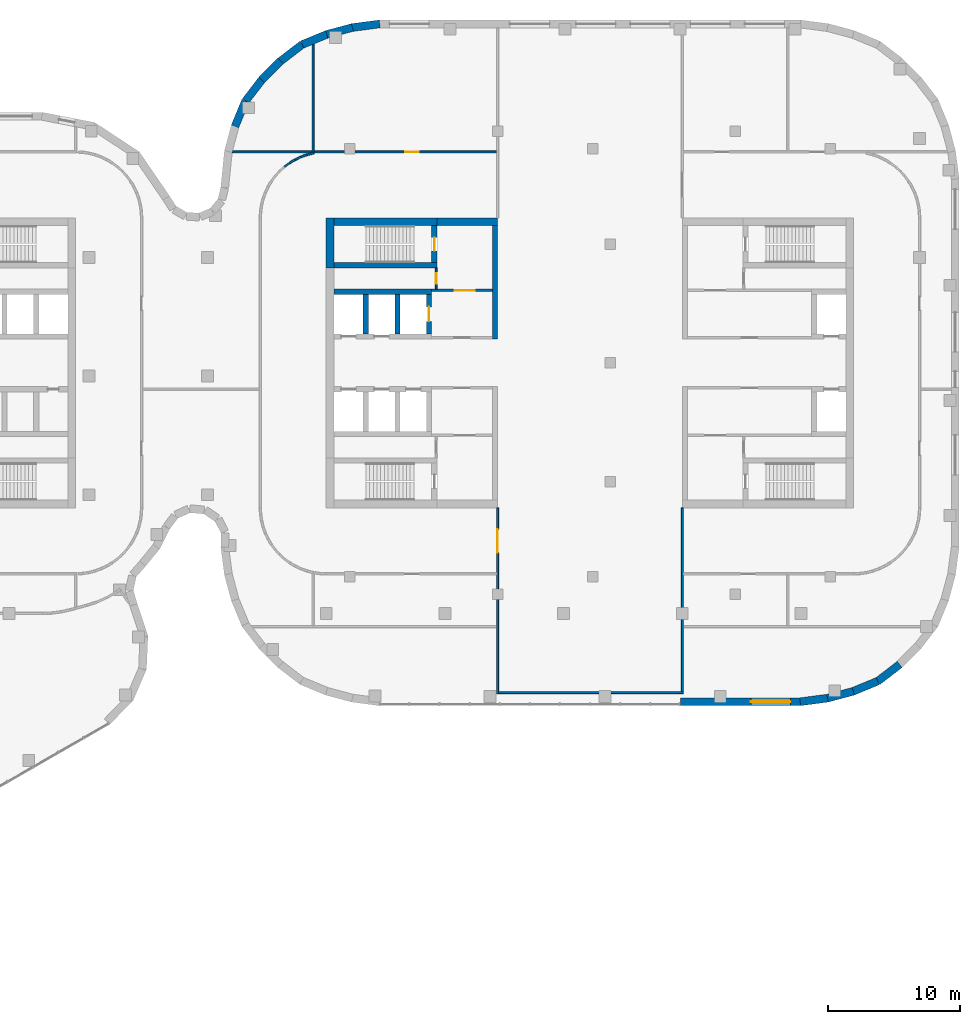
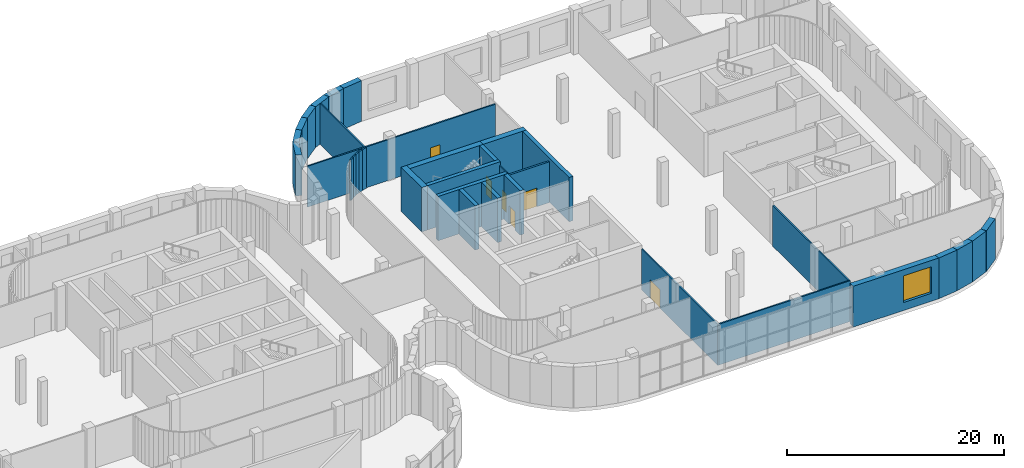
# One storey, part 18 of 24: 34 walls, 6 doors, 1 window, 7 openings.
"""IFC4 building model written with IfcOpenShell, lengths in metres."""

from ifc_helpers import new_model, si_unit, direction, frame, frame_2d, origin, place, context, subcontext, project, spatial, rectangle, extrude, material, layer, layer_set, type_object, element, fill, save


model = new_model("IFC4")

# Units and contexts
model_context = context("Model", 3, precision=1e-05, world=origin(), true_north=direction((0.0, 1.0)))
body_context = subcontext(model_context, "Body", "Model", "MODEL_VIEW")
ifc_project = project(units=[si_unit("LENGTHUNIT", "METRE"), si_unit("AREAUNIT", "SQUARE_METRE"), si_unit("VOLUMEUNIT", "CUBIC_METRE"), si_unit("PLANEANGLEUNIT", "RADIAN"), si_unit("MASSUNIT", "GRAM", prefix="KILO")], contexts=[model_context])

# Site, building, storey
site_placement = place(None, origin())
site = spatial("IfcSite", under=ifc_project, at=site_placement, CompositionType="ELEMENT")
building_placement = place(site_placement, origin())
building = spatial("IfcBuilding", under=site, at=building_placement, Name="Skarvind Civic Tower", CompositionType="ELEMENT")
storey_placement = place(building_placement, frame((0.0, 0.0, 12.5)))
storey = spatial("IfcBuildingStorey", under=building, at=storey_placement, Name="L02", CompositionType="ELEMENT", Elevation=12.5)

# Wall, opening, door
ifc_material_1 = material(Name="Fire-rated masonry partition", Category="masonry")
ifc_layer_1 = layer(ifc_material_1, 0.199951171875)
ifc_layer_set_1 = layer_set([ifc_layer_1], Name="Core enclosure wall 200")
wall_type_1 = type_object("IfcWallType", Name="Core enclosure wall 200", PredefinedType="PARTITIONING", material=ifc_layer_set_1)
wall_1_placement = place(storey_placement, frame((135.0, 133.5, 0.0), z_axis=(0.0, 0.0, 1.0), x_axis=(1.0, 0.0, 0.0)))
wall_1 = element("IfcWall", 1, at=wall_1_placement, inside=storey, type_object=wall_type_1, Name="Core wall CA", PredefinedType="PARTITIONING", context=body_context, shape_type="SweptSolid", body=[
    extrude(rectangle(XDim=4.60009765625, YDim=0.199951171875, at=frame_2d((2.300048828125, 0.0))), origin(), (0.0, 0.0, 1.0), 4.60009765625),
])
opening_1_placement = place(wall_1_placement, frame((1.75, 0.0, 0.0)))
opening_1 = element("IfcOpeningElement", 2, at=opening_1_placement, cuts=wall_1, Name="Opening D-L02-CA-07", PredefinedType="OPENING", context=body_context, shape_type="SweptSolid", body=[
    extrude(rectangle(XDim=1.5, YDim=2.10009765625, at=frame_2d((0.75, 1.050048828125))), frame((0.0, 0.10986328125, 0.0), z_axis=(0.0, -1.0, 0.0), x_axis=(1.0, 0.0, 0.0)), (0.0, 0.0, 1.0), 0.219970703125),
])
ifc_material_2 = material(Name="Fire-rated steel door", Category="steel")
door_type_1 = type_object("IfcDoorType", Name="Fire door 1500", OperationType="NOTDEFINED", PredefinedType="DOOR", material=ifc_material_2)
door_1_placement = place(opening_1_placement, origin())
door_1 = element("IfcDoor", 3, at=door_1_placement, inside=storey, type_object=door_type_1, Name="Fire door", OperationType="DOUBLE_DOOR_SINGLE_SWING", OverallHeight=2.10009765625, OverallWidth=1.5, PredefinedType="DOOR", context=body_context, shape_type="SweptSolid", body=[
    extrude(rectangle(XDim=1.5, YDim=2.10009765625, at=frame_2d((0.75, 1.050048828125))), frame((0.0, 0.02490234375, 0.0), z_axis=(0.0, -1.0, 0.0), x_axis=(1.0, 0.0, 0.0)), (0.0, 0.0, 1.0), 0.050048828125),
])
fill(opening_1, door_1)

# Wall
ifc_material_3 = material(Name="Concrete C80", Category="concrete")
ifc_layer_2 = layer(ifc_material_3, 0.39990234375)
ifc_layer_set_2 = layer_set([ifc_layer_2], Name="Core wall 400 C80")
wall_type_2 = type_object("IfcWallType", Name="Core wall 400 C80", PredefinedType="SHEAR", material=ifc_layer_set_2)
wall_2_placement = place(storey_placement, frame((127.60009765625, 135.39990234375, 0.0), z_axis=(0.0, 0.0, 1.0), x_axis=(1.0, 0.0, 0.0)))
element("IfcWall", 4, at=wall_2_placement, inside=storey, type_object=wall_type_2, Name="Core wall CA north stair inner L02", PredefinedType="SHEAR", context=body_context, shape_type="SweptSolid", body=[
    extrude(rectangle(XDim=7.7998046875, YDim=0.39990234375, at=frame_2d((3.89990234375, 0.0))), origin(), (0.0, 0.0, 1.0), 5.0),
])

# Wall, opening, door
wall_3_placement = place(storey_placement, frame((135.199951171875, 135.60009765625, 0.0), z_axis=(0.0, 0.0, 1.0), x_axis=(0.0, 1.0, 0.0)))
wall_3 = element("IfcWall", 5, at=wall_3_placement, inside=storey, type_object=wall_type_2, Name="Core wall CA north stair end L02", PredefinedType="SHEAR", context=body_context, shape_type="SweptSolid", body=[
    extrude(rectangle(XDim=2.7998046875, YDim=0.39990234375, at=frame_2d((1.39990234375, 0.0))), origin(), (0.0, 0.0, 1.0), 5.0),
])
opening_2_placement = place(wall_3_placement, frame((0.89990234375, 0.0, 0.0)))
opening_2 = element("IfcOpeningElement", 6, at=opening_2_placement, cuts=wall_3, Name="Opening D-L02-CA-08", PredefinedType="OPENING", context=body_context, shape_type="SweptSolid", body=[
    extrude(rectangle(XDim=1.0, YDim=2.10009765625, at=frame_2d((0.5, 1.050048828125))), frame((0.0, 0.2099609375, 0.0), z_axis=(0.0, -1.0, 0.0), x_axis=(1.0, 0.0, 0.0)), (0.0, 0.0, 1.0), 0.419921875),
])
door_type_2 = type_object("IfcDoorType", Name="Fire door 1000", OperationType="NOTDEFINED", PredefinedType="DOOR", material=ifc_material_2)
door_2_placement = place(opening_2_placement, origin())
door_2 = element("IfcDoor", 7, at=door_2_placement, inside=storey, type_object=door_type_2, Name="Fire door", OperationType="SINGLE_SWING_LEFT", OverallHeight=2.10009765625, OverallWidth=1.0, PredefinedType="DOOR", context=body_context, shape_type="SweptSolid", body=[
    extrude(rectangle(XDim=1.0, YDim=2.10009765625, at=frame_2d((0.5, 1.050048828125))), frame((0.0, 0.02490234375, 0.0), z_axis=(0.0, -1.0, 0.0), x_axis=(1.0, 0.0, 0.0)), (0.0, 0.0, 1.0), 0.050048828125),
])
fill(opening_2, door_2)

# Walls
wall_4_placement = place(storey_placement, frame((127.60009765625, 133.39990234375, 0.0), z_axis=(0.0, 0.0, 1.0), x_axis=(1.0, 0.0, 0.0)))
element("IfcWall", 8, at=wall_4_placement, inside=storey, type_object=wall_type_2, Name="Core wall CA north lift row back L02", PredefinedType="SHEAR", context=body_context, shape_type="SweptSolid", body=[
    extrude(rectangle(XDim=7.39990234375, YDim=0.39990234375, at=frame_2d((3.699951171875, 0.0))), origin(), (0.0, 0.0, 1.0), 5.0),
])
for number, where, z_axis, x_axis, name in (
    (9, (130.0, 130.199951171875, 0.0), (0.0, 0.0, 1.0), (0.0, 1.0, 0.0), "Core wall CA north lift row division 1 L02"),
    (10, (132.39990234375, 130.199951171875, 0.0), (0.0, 0.0, 1.0), (0.0, 1.0, 0.0), "Core wall CA north lift row division 2 L02"),
):
    element("IfcWall", number, at=place(storey_placement, frame(where, z_axis=z_axis, x_axis=x_axis)), inside=storey, type_object=wall_type_2, Name=name, PredefinedType="SHEAR", context=body_context, shape_type="SweptSolid", body=[
        extrude(rectangle(XDim=3.0, YDim=0.39990234375, at=frame_2d((1.5, 0.0))), origin(), (0.0, 0.0, 1.0), 5.0),
    ])

# Wall, opening, door
wall_5_placement = place(storey_placement, frame((134.800048828125, 130.199951171875, 0.0), z_axis=(0.0, 0.0, 1.0), x_axis=(0.0, 1.0, 0.0)))
wall_5 = element("IfcWall", 11, at=wall_5_placement, inside=storey, type_object=wall_type_2, Name="Core wall CA north lift row division 3 L02", PredefinedType="SHEAR", context=body_context, shape_type="SweptSolid", body=[
    extrude(rectangle(XDim=3.0, YDim=0.39990234375, at=frame_2d((1.5, 0.0))), origin(), (0.0, 0.0, 1.0), 5.0),
])
opening_3_placement = place(wall_5_placement, frame((0.949951171875, 0.0, 0.0)))
opening_3 = element("IfcOpeningElement", 12, at=opening_3_placement, cuts=wall_5, Name="Opening LD04303", PredefinedType="OPENING", context=body_context, shape_type="SweptSolid", body=[
    extrude(rectangle(XDim=1.10009765625, YDim=2.10009765625, at=frame_2d((0.550048828125, 1.050048828125))), frame((0.0, 0.2099609375, 0.0), z_axis=(0.0, -1.0, 0.0), x_axis=(1.0, 0.0, 0.0)), (0.0, 0.0, 1.0), 0.419921875),
])
ifc_material_4 = material(Name="Stainless steel landing door", Category="steel")
door_type_3 = type_object("IfcDoorType", Name="Lift landing door 1100", OperationType="DOUBLE_DOOR_SLIDING", PredefinedType="DOOR", material=ifc_material_4)
door_3_placement = place(opening_3_placement, origin())
door_3 = element("IfcDoor", 13, at=door_3_placement, inside=storey, type_object=door_type_3, Name="Lift landing door", OperationType="DOUBLE_DOOR_SLIDING", OverallHeight=2.10009765625, OverallWidth=1.10009765625, PredefinedType="DOOR", context=body_context, shape_type="SweptSolid", body=[
    extrude(rectangle(XDim=1.10009765625, YDim=2.10009765625, at=frame_2d((0.550048828125, 1.050048828125))), frame((0.0, 0.02490234375, 0.0), z_axis=(0.0, -1.0, 0.0), x_axis=(1.0, 0.0, 0.0)), (0.0, 0.0, 1.0), 0.050048828125),
])
fill(opening_3, door_3)

# Walls
wall_6_placement = place(storey_placement, frame((139.800048828125, 129.800048828125, 0.0), z_axis=(0.0, 0.0, 1.0), x_axis=(0.0, 1.0, 0.0)))
element("IfcWall", 14, at=wall_6_placement, inside=storey, type_object=wall_type_2, Name="Core wall CA north inner face L02", PredefinedType="SHEAR", context=body_context, shape_type="SweptSolid", body=[
    extrude(rectangle(XDim=8.599853515625, YDim=0.39990234375, at=frame_2d((4.2998046875, 0.0))), origin(), (0.0, 0.0, 1.0), 5.0),
])
ifc_layer_3 = layer(ifc_material_3, 0.60009765625)
ifc_layer_set_3 = layer_set([ifc_layer_3], Name="Core wall 600 C80")
wall_type_3 = type_object("IfcWallType", Name="Core wall 600 C80", PredefinedType="SHEAR", material=ifc_layer_set_3)
wall_7_placement = place(storey_placement, frame((127.300048828125, 135.199951171875, 0.0), z_axis=(0.0, 0.0, 1.0), x_axis=(0.0, 1.0, 0.0)))
element("IfcWall", 15, at=wall_7_placement, inside=storey, type_object=wall_type_3, Name="Core wall CA tip at the north stair L02", PredefinedType="SHEAR", context=body_context, shape_type="SweptSolid", body=[
    extrude(rectangle(XDim=3.800048828125, YDim=0.60009765625, at=frame_2d((1.89990234375, 0.0))), origin(), (0.0, 0.0, 1.0), 5.0),
])
wall_8_placement = place(storey_placement, frame((127.60009765625, 138.699951171875, 0.0), z_axis=(0.0, 0.0, 1.0), x_axis=(1.0, 0.0, 0.0)))
element("IfcWall", 16, at=wall_8_placement, inside=storey, type_object=wall_type_3, Name="Core wall CA north side at the stair L02", PredefinedType="SHEAR", context=body_context, shape_type="SweptSolid", body=[
    extrude(rectangle(XDim=7.7998046875, YDim=0.60009765625, at=frame_2d((3.89990234375, 0.0))), origin(), (0.0, 0.0, 1.0), 5.0),
])
wall_9_placement = place(storey_placement, frame((135.39990234375, 138.699951171875, 0.0), z_axis=(0.0, 0.0, 1.0), x_axis=(1.0, 0.0, 0.0)))
element("IfcWall", 17, at=wall_9_placement, inside=storey, type_object=wall_type_3, Name="Core wall CA north side L02", PredefinedType="SHEAR", context=body_context, shape_type="SweptSolid", body=[
    extrude(rectangle(XDim=4.60009765625, YDim=0.60009765625, at=frame_2d((2.300048828125, 0.0))), origin(), (0.0, 0.0, 1.0), 5.0),
])

# Wall, opening, door
ifc_material_5 = material(Name="Plasterboard partition on steel studs", Category="steel")
ifc_layer_4 = layer(ifc_material_5, 0.14990234375)
ifc_layer_set_4 = layer_set([ifc_layer_4], Name="PARTITION 150")
wall_type_4 = type_object("IfcWallType", Name="PARTITION 150", PredefinedType="PARTITIONING", material=ifc_layer_set_4)
wall_10_placement = place(storey_placement, frame((119.875, 144.0, 0.0), z_axis=(0.0, 0.0, 1.0), x_axis=(1.0, 0.0, 0.0)))
wall_10 = element("IfcWall", 18, at=wall_10_placement, inside=storey, type_object=wall_type_4, Name="Podium partition L02 230", PredefinedType="PARTITIONING", context=body_context, shape_type="SweptSolid", body=[
    extrude(rectangle(XDim=20.050048828125, YDim=0.14990234375, at=frame_2d((10.02490234375, 0.0))), origin(), (0.0, 0.0, 1.0), 4.60009765625),
])
opening_4_placement = place(wall_10_placement, frame((13.125, 0.0, 0.0)))
opening_4 = element("IfcOpeningElement", 19, at=opening_4_placement, cuts=wall_10, Name="Opening L02-D234", PredefinedType="OPENING", context=body_context, shape_type="SweptSolid", body=[
    extrude(rectangle(XDim=1.0, YDim=2.10009765625, at=frame_2d((0.5, 1.050048828125))), frame((0.0, 0.0849609375, 0.0), z_axis=(0.0, -1.0, 0.0), x_axis=(1.0, 0.0, 0.0)), (0.0, 0.0, 1.0), 0.169921875),
])
ifc_material_6 = material(Name="Timber veneer door leaf", Category="wood")
door_type_4 = type_object("IfcDoorType", Name="DOOR 1000X2100 TIMBER", OperationType="NOTDEFINED", PredefinedType="DOOR", material=ifc_material_6)
door_4_placement = place(opening_4_placement, origin())
door_4 = element("IfcDoor", 20, at=door_4_placement, inside=storey, type_object=door_type_4, Name="DOOR DOOR", OperationType="SINGLE_SWING_LEFT", OverallHeight=2.10009765625, OverallWidth=1.0, PredefinedType="DOOR", context=body_context, shape_type="SweptSolid", body=[
    extrude(rectangle(XDim=1.0, YDim=2.10009765625, at=frame_2d((0.5, 1.050048828125))), frame((0.0, 0.02490234375, 0.0), z_axis=(0.0, -1.0, 0.0), x_axis=(1.0, 0.0, 0.0)), (0.0, 0.0, 1.0), 0.050048828125),
])
fill(opening_4, door_4)

# Walls
wall_11_placement = place(storey_placement, frame((123.824951171875, 142.863037109375, 0.0), z_axis=(0.0, 0.0, 1.0), x_axis=(0.80404358372, 0.594570362092, 0.0)))
element("IfcWall", 21, at=wall_11_placement, inside=storey, type_object=wall_type_4, Name="Podium partition L02 252", PredefinedType="PARTITIONING", context=body_context, shape_type="SweptSolid", body=[
    extrude(rectangle(XDim=0.49755859375, YDim=0.14990234375, at=frame_2d((0.248779296875, 0.0))), origin(), (0.0, 0.0, 1.0), 4.60009765625),
])
wall_12_placement = place(storey_placement, frame((124.218994140625, 143.155029296875, 0.0), z_axis=(0.0, 0.0, 1.0), x_axis=(0.85671397893, 0.515791778052, 0.0)))
element("IfcWall", 22, at=wall_12_placement, inside=storey, type_object=wall_type_4, Name="Podium partition L02 254", PredefinedType="PARTITIONING", context=body_context, shape_type="SweptSolid", body=[
    extrude(rectangle(XDim=0.49853515625, YDim=0.14990234375, at=frame_2d((0.249267578125, 0.0))), origin(), (0.0, 0.0, 1.0), 4.60009765625),
])
for number, where, z_axis, x_axis, name in (
    (23, (124.639892578125, 143.407958984375, 0.0), (0.0, 0.0, 1.0), (0.903827641978, 0.427896709028, 0.0), "Podium partition L02 256"),
    (24, (125.083984375, 143.617919921875, 0.0), (0.0, 0.0, 1.0), (0.941442168887, 0.3371744988, 0.0), "Podium partition L02 258"),
):
    element("IfcWall", number, at=place(storey_placement, frame(where, z_axis=z_axis, x_axis=x_axis)), inside=storey, type_object=wall_type_4, Name=name, PredefinedType="PARTITIONING", context=body_context, shape_type="SweptSolid", body=[
        extrude(rectangle(XDim=0.498046875, YDim=0.14990234375, at=frame_2d((0.2490234375, 0.0))), origin(), (0.0, 0.0, 1.0), 4.60009765625),
    ])
wall_13_placement = place(storey_placement, frame((125.544921875, 143.783935546875, 0.0), z_axis=(0.0, 0.0, 1.0), x_axis=(0.970116111764, 0.242641154168, 0.0)))
element("IfcWall", 25, at=wall_13_placement, inside=storey, type_object=wall_type_4, Name="Podium partition L02 260", PredefinedType="PARTITIONING", context=body_context, shape_type="SweptSolid", body=[
    extrude(rectangle(XDim=0.54443359375, YDim=0.14990234375, at=frame_2d((0.272216796875, 0.0))), origin(), (0.0, 0.0, 1.0), 4.60009765625),
])
wall_14_placement = place(storey_placement, frame((126.0, 143.9951171875, 0.0), z_axis=(0.0, 0.0, 1.0), x_axis=(0.0, 1.0, 0.0)))
element("IfcWall", 26, at=wall_14_placement, inside=storey, type_object=wall_type_4, Name="Podium partition L02 262", PredefinedType="PARTITIONING", context=body_context, shape_type="SweptSolid", body=[
    extrude(rectangle(XDim=8.158935546875, YDim=0.14990234375, at=frame_2d((4.07958984375, 0.0))), origin(), (0.0, 0.0, 1.0), 4.60009765625),
])

# Wall, opening, door
wall_15_placement = place(storey_placement, frame((140.0, 102.925048828125, 0.0), z_axis=(0.0, 0.0, 1.0), x_axis=(0.0, 1.0, 0.0)))
wall_15 = element("IfcWall", 27, at=wall_15_placement, inside=storey, type_object=wall_type_4, Name="Podium partition L02 266", PredefinedType="PARTITIONING", context=body_context, shape_type="SweptSolid", body=[
    extrude(rectangle(XDim=14.074951171875, YDim=0.14990234375, at=frame_2d((7.03759765625, 0.0))), origin(), (0.0, 0.0, 1.0), 4.60009765625),
])
opening_5_placement = place(wall_15_placement, frame((10.675048828125, 0.0, 0.0)))
opening_5 = element("IfcOpeningElement", 28, at=opening_5_placement, cuts=wall_15, Name="Opening L02-D235", PredefinedType="OPENING", context=body_context, shape_type="SweptSolid", body=[
    extrude(rectangle(XDim=1.800048828125, YDim=2.10009765625, at=frame_2d((0.89990234375, 1.050048828125))), frame((0.0, 0.0849609375, 0.0), z_axis=(0.0, -1.0, 0.0), x_axis=(1.0, 0.0, 0.0)), (0.0, 0.0, 1.0), 0.169921875),
])
door_type_5 = type_object("IfcDoorType", Name="DOOR 1800X2100 DOUBLE TIMBER", OperationType="NOTDEFINED", PredefinedType="DOOR", material=ifc_material_6)
door_5_placement = place(opening_5_placement, origin())
door_5 = element("IfcDoor", 29, at=door_5_placement, inside=storey, type_object=door_type_5, Name="DOOR DOOR", OperationType="DOUBLE_DOOR_SINGLE_SWING", OverallHeight=2.10009765625, OverallWidth=1.800048828125, PredefinedType="DOOR", context=body_context, shape_type="SweptSolid", body=[
    extrude(rectangle(XDim=1.800048828125, YDim=2.10009765625, at=frame_2d((0.89990234375, 1.050048828125))), frame((0.0, 0.02490234375, 0.0), z_axis=(0.0, -1.0, 0.0), x_axis=(1.0, 0.0, 0.0)), (0.0, 0.0, 1.0), 0.050048828125),
])
fill(opening_5, door_5)

# Walls
wall_16_placement = place(storey_placement, frame((140.074951171875, 103.0, 0.0), z_axis=(0.0, 0.0, 1.0), x_axis=(1.0, 0.0, 0.0)))
element("IfcWall", 30, at=wall_16_placement, inside=storey, type_object=wall_type_4, Name="Podium partition L02 267", PredefinedType="PARTITIONING", context=body_context, shape_type="SweptSolid", body=[
    extrude(rectangle(XDim=14.0, YDim=0.14990234375, at=frame_2d((7.0, 0.0))), origin(), (0.0, 0.0, 1.0), 4.60009765625),
])
wall_17_placement = place(storey_placement, frame((154.0, 103.074951171875, 0.0), z_axis=(0.0, 0.0, 1.0), x_axis=(0.0, 1.0, 0.0)))
element("IfcWall", 31, at=wall_17_placement, inside=storey, type_object=wall_type_4, Name="Podium partition L02 269", PredefinedType="PARTITIONING", context=body_context, shape_type="SweptSolid", body=[
    extrude(rectangle(XDim=13.925048828125, YDim=0.14990234375, at=frame_2d((6.96240234375, 0.0))), origin(), (0.0, 0.0, 1.0), 4.60009765625),
])

# Wall, opening, door
ifc_layer_5 = layer(ifc_material_1, 0.125)
ifc_layer_set_5 = layer_set([ifc_layer_5], Name="Riser wall 125")
wall_type_5 = type_object("IfcWallType", Name="Riser wall 125", PredefinedType="PARTITIONING", material=ifc_layer_set_5)
wall_18_placement = place(storey_placement, frame((135.33740234375, 135.199951171875, 0.0), z_axis=(0.0, 0.0, 1.0), x_axis=(0.0, -1.0, 0.0)))
wall_18 = element("IfcWall", 32, at=wall_18_placement, inside=storey, type_object=wall_type_5, Name="Core wall CA", PredefinedType="PARTITIONING", context=body_context, shape_type="SweptSolid", body=[
    extrude(rectangle(XDim=1.599853515625, YDim=0.125, at=frame_2d((0.7998046875, 0.0))), origin(), (0.0, 0.0, 1.0), 4.60009765625),
])
opening_6_placement = place(wall_18_placement, frame((0.39990234375, 0.0, 0.0)))
opening_6 = element("IfcOpeningElement", 33, at=opening_6_placement, cuts=wall_18, Name="Opening D-L02-CA-09", PredefinedType="OPENING", context=body_context, shape_type="SweptSolid", body=[
    extrude(rectangle(XDim=0.800048828125, YDim=2.10009765625, at=frame_2d((0.39990234375, 1.050048828125))), frame((0.0, 0.072509765625, 0.0), z_axis=(0.0, -1.0, 0.0), x_axis=(1.0, 0.0, 0.0)), (0.0, 0.0, 1.0), 0.14501953125),
])
door_type_6 = type_object("IfcDoorType", Name="Core riser door 800", OperationType="NOTDEFINED", PredefinedType="DOOR", material=ifc_material_2)
door_6_placement = place(opening_6_placement, origin())
door_6 = element("IfcDoor", 34, at=door_6_placement, inside=storey, type_object=door_type_6, Name="Riser door", OperationType="SINGLE_SWING_RIGHT", OverallHeight=2.10009765625, OverallWidth=0.800048828125, PredefinedType="DOOR", context=body_context, shape_type="SweptSolid", body=[
    extrude(rectangle(XDim=0.800048828125, YDim=2.10009765625, at=frame_2d((0.39990234375, 1.050048828125))), frame((0.0, 0.02490234375, 0.0), z_axis=(0.0, -1.0, 0.0), x_axis=(1.0, 0.0, 0.0)), (0.0, 0.0, 1.0), 0.050048828125),
])
fill(opening_6, door_6)

# Wall, opening, window
ifc_material_7 = material(Name="Limestone masonry cladding on insulated backing", Category="masonry")
ifc_layer_6 = layer(ifc_material_7, 0.60009765625)
ifc_layer_set_6 = layer_set([ifc_layer_6], Name="WX1 STONE FACADE WALL 600")
wall_type_6 = type_object("IfcWallType", Name="WX1 STONE FACADE WALL 600", PredefinedType="SOLIDWALL", material=ifc_layer_set_6)
wall_19_placement = place(storey_placement, frame((162.978271484375, 102.300048828125, 0.0), z_axis=(0.0, 0.0, 1.0), x_axis=(-1.0, 0.0, 0.0)))
wall_19 = element("IfcWall", 35, at=wall_19_placement, inside=storey, type_object=wall_type_6, Name="STONE FACADE WALL", PredefinedType="SOLIDWALL", context=body_context, shape_type="SweptSolid", body=[
    extrude(rectangle(XDim=9.13037109375, YDim=0.60009765625, at=frame_2d((4.565185546875, 0.0))), origin(), (0.0, 0.0, 1.0), 4.60009765625),
])
opening_7_placement = place(wall_19_placement, frame((0.78271484375, 0.0, 0.89990234375)))
opening_7 = element("IfcOpeningElement", 36, at=opening_7_placement, cuts=wall_19, Name="Opening WN2", PredefinedType="OPENING", context=body_context, shape_type="SweptSolid", body=[
    extrude(rectangle(XDim=3.0, YDim=3.0, at=frame_2d((1.5, 1.5))), frame((0.0, 0.31005859375, 0.0), z_axis=(0.0, -1.0, 0.0), x_axis=(1.0, 0.0, 0.0)), (0.0, 0.0, 1.0), 0.6201171875),
])
ifc_material_8 = material(Name="Timber frame, double glazing, timber-lined reveal", Category="wood")
window_type = type_object("IfcWindowType", Name="WN2 PODIUM STONE WINDOW 3000 x 3000", PartitioningType="SINGLE_PANEL", PredefinedType="WINDOW", material=ifc_material_8)
window_placement = place(opening_7_placement, origin())
window = element("IfcWindow", 37, at=window_placement, inside=storey, type_object=window_type, Name="WN2 WINDOW", OverallHeight=3.0, OverallWidth=3.0, PartitioningType="SINGLE_PANEL", PredefinedType="WINDOW", context=body_context, shape_type="SweptSolid", body=[
    extrude(rectangle(XDim=3.0, YDim=3.0, at=frame_2d((1.5, 1.5))), frame((0.0, 0.030029296875, 0.0), z_axis=(0.0, -1.0, 0.0), x_axis=(1.0, 0.0, 0.0)), (0.0, 0.0, 1.0), 0.06005859375),
])
fill(opening_7, window)

# Walls
wall_20_placement = place(storey_placement, frame((165.052490234375, 102.57568359375, 0.0), z_axis=(0.0, 0.0, 1.0), x_axis=(-0.991440646942, -0.130558200013, 0.0)))
element("IfcWall", 38, at=wall_20_placement, inside=storey, type_object=wall_type_6, Name="STONE FACADE WALL", PredefinedType="SOLIDWALL", context=body_context, shape_type="SweptSolid", body=[
    extrude(rectangle(XDim=2.1318359375, YDim=0.60009765625, at=frame_2d((1.06591796875, 0.0))), origin(), (0.0, 0.0, 1.0), 4.60009765625),
])
wall_21_placement = place(storey_placement, frame((166.967529296875, 103.091552734375, 0.0), z_axis=(0.0, 0.0, 1.0), x_axis=(-0.965929732323, -0.258804467146, 0.0)))
element("IfcWall", 39, at=wall_21_placement, inside=storey, type_object=wall_type_6, Name="STONE FACADE WALL", PredefinedType="SOLIDWALL", context=body_context, shape_type="SweptSolid", body=[
    extrude(rectangle(XDim=2.0224609375, YDim=0.60009765625, at=frame_2d((1.01123046875, 0.0))), origin(), (0.0, 0.0, 1.0), 4.60009765625),
])
wall_22_placement = place(storey_placement, frame((168.8193359375, 103.8603515625, 0.0), z_axis=(0.0, 0.0, 1.0), x_axis=(-0.924021197839, -0.382341242798, 0.0)))
element("IfcWall", 40, at=wall_22_placement, inside=storey, type_object=wall_type_6, Name="STONE FACADE WALL", PredefinedType="SOLIDWALL", context=body_context, shape_type="SweptSolid", body=[
    extrude(rectangle(XDim=2.0439453125, YDim=0.60009765625, at=frame_2d((1.02197265625, 0.0))), origin(), (0.0, 0.0, 1.0), 4.60009765625),
])
wall_23_placement = place(storey_placement, frame((170.49267578125, 105.135498046875, 0.0), z_axis=(0.0, 0.0, 1.0), x_axis=(-0.79313029079, -0.609052002567, 0.0)))
element("IfcWall", 41, at=wall_23_placement, inside=storey, type_object=wall_type_6, Name="STONE FACADE WALL", PredefinedType="SOLIDWALL", context=body_context, shape_type="SweptSolid", body=[
    extrude(rectangle(XDim=2.114013671875, YDim=0.60009765625, at=frame_2d((1.05712890625, 0.0))), origin(), (0.0, 0.0, 1.0), 4.60009765625),
])
wall_24_placement = place(storey_placement, frame((128.947509765625, 153.42431640625, 0.0), z_axis=(0.0, 0.0, 1.0), x_axis=(0.991440646942, 0.130558200013, 0.0)))
element("IfcWall", 42, at=wall_24_placement, inside=storey, type_object=wall_type_6, Name="STONE FACADE WALL", PredefinedType="SOLIDWALL", context=body_context, shape_type="SweptSolid", body=[
    extrude(rectangle(XDim=2.1318359375, YDim=0.60009765625, at=frame_2d((1.06591796875, 0.0))), origin(), (0.0, 0.0, 1.0), 4.60009765625),
])
wall_25_placement = place(storey_placement, frame((127.032470703125, 152.908447265625, 0.0), z_axis=(0.0, 0.0, 1.0), x_axis=(0.965929732323, 0.258804467146, 0.0)))
element("IfcWall", 43, at=wall_25_placement, inside=storey, type_object=wall_type_6, Name="STONE FACADE WALL", PredefinedType="SOLIDWALL", context=body_context, shape_type="SweptSolid", body=[
    extrude(rectangle(XDim=2.0224609375, YDim=0.60009765625, at=frame_2d((1.01123046875, 0.0))), origin(), (0.0, 0.0, 1.0), 4.60009765625),
])
wall_26_placement = place(storey_placement, frame((125.1806640625, 152.1396484375, 0.0), z_axis=(0.0, 0.0, 1.0), x_axis=(0.924021197839, 0.382341242798, 0.0)))
element("IfcWall", 44, at=wall_26_placement, inside=storey, type_object=wall_type_6, Name="STONE FACADE WALL", PredefinedType="SOLIDWALL", context=body_context, shape_type="SweptSolid", body=[
    extrude(rectangle(XDim=2.0439453125, YDim=0.60009765625, at=frame_2d((1.02197265625, 0.0))), origin(), (0.0, 0.0, 1.0), 4.60009765625),
])
wall_27_placement = place(storey_placement, frame((123.50732421875, 150.864501953125, 0.0), z_axis=(0.0, 0.0, 1.0), x_axis=(0.79313029079, 0.609052002567, 0.0)))
element("IfcWall", 45, at=wall_27_placement, inside=storey, type_object=wall_type_6, Name="STONE FACADE WALL", PredefinedType="SOLIDWALL", context=body_context, shape_type="SweptSolid", body=[
    extrude(rectangle(XDim=2.114013671875, YDim=0.60009765625, at=frame_2d((1.05712890625, 0.0))), origin(), (0.0, 0.0, 1.0), 4.60009765625),
])
wall_28_placement = place(storey_placement, frame((122.109619140625, 149.463134765625, 0.0), z_axis=(0.0, 0.0, 1.0), x_axis=(0.707106781187, 0.707106781187, 0.0)))
element("IfcWall", 46, at=wall_28_placement, inside=storey, type_object=wall_type_6, Name="STONE FACADE WALL", PredefinedType="SOLIDWALL", context=body_context, shape_type="SweptSolid", body=[
    extrude(rectangle(XDim=2.018310546875, YDim=0.60009765625, at=frame_2d((1.00927734375, 0.0))), origin(), (0.0, 0.0, 1.0), 4.60009765625),
])
wall_29_placement = place(storey_placement, frame((120.890625, 147.87158203125, 0.0), z_axis=(0.0, 0.0, 1.0), x_axis=(0.609058260448, 0.793125485267, 0.0)))
element("IfcWall", 47, at=wall_29_placement, inside=storey, type_object=wall_type_6, Name="STONE FACADE WALL", PredefinedType="SOLIDWALL", context=body_context, shape_type="SweptSolid", body=[
    extrude(rectangle(XDim=2.0439453125, YDim=0.60009765625, at=frame_2d((1.02197265625, 0.0))), origin(), (0.0, 0.0, 1.0), 4.60009765625),
])
wall_30_placement = place(storey_placement, frame((120.078857421875, 145.9306640625, 0.0), z_axis=(0.0, 0.0, 1.0), x_axis=(0.382375593358, 0.924006983526, 0.0)))
element("IfcWall", 48, at=wall_30_placement, inside=storey, type_object=wall_type_6, Name="STONE FACADE WALL", PredefinedType="SOLIDWALL", context=body_context, shape_type="SweptSolid", body=[
    extrude(rectangle(XDim=2.114013671875, YDim=0.60009765625, at=frame_2d((1.05712890625, 0.0))), origin(), (0.0, 0.0, 1.0), 4.60009765625),
])

save(model, "model.ifc")
